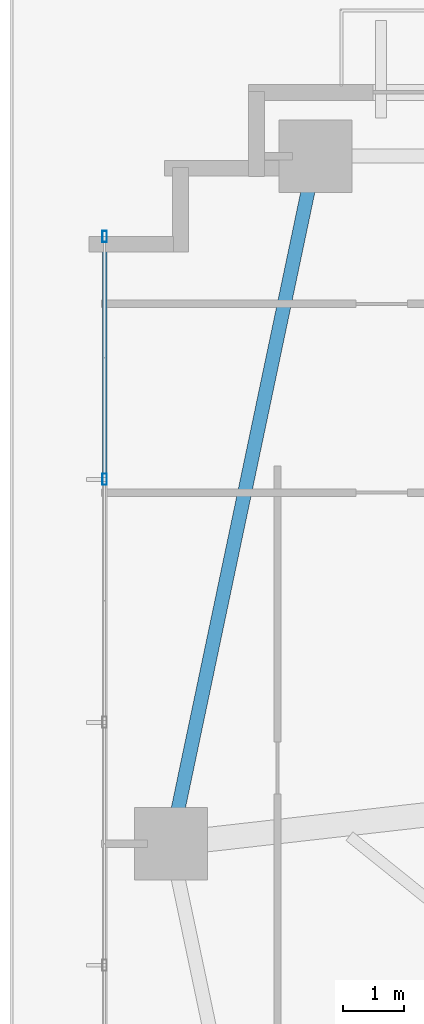
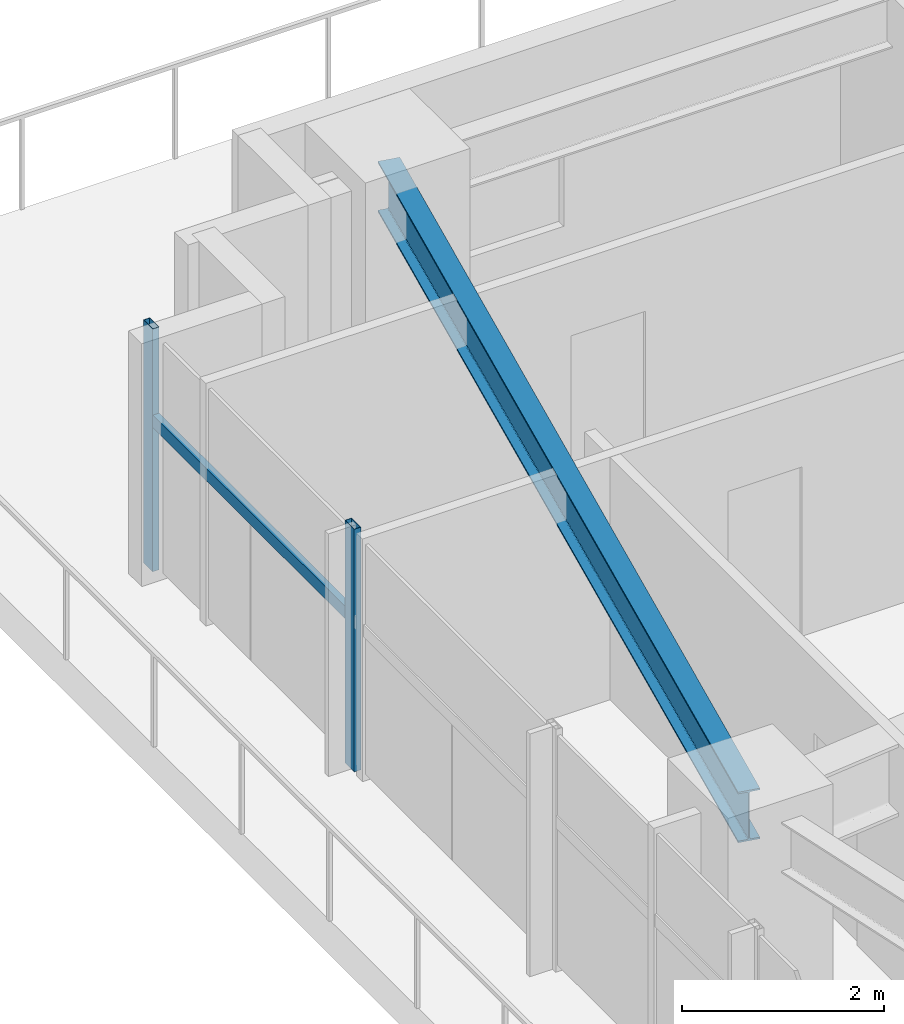
# One storey, part 8 of 26: 3 members, 1 beam, 1 element without a shape of its own.
"""IFC4 building model written with IfcOpenShell, lengths in metres."""

from ifc_helpers import new_model, si_unit, direction, frame, origin, origin_2d, place, context, subcontext, project, spatial, hollow_rectangle, i_section, extrude, source, transform, mapped, material, material_profile, profile_set, type_object, type_shapes, element, aggregate, save


model = new_model("IFC4")

# Units and contexts
model_context = context("Model", 3, precision=1e-05, world=origin(), true_north=direction((0.0, 1.0)))
body_context = subcontext(model_context, "Body", "Model", "MODEL_VIEW")
ifc_project = project(units=[si_unit("LENGTHUNIT", "METRE"), si_unit("AREAUNIT", "SQUARE_METRE"), si_unit("VOLUMEUNIT", "CUBIC_METRE"), si_unit("PLANEANGLEUNIT", "RADIAN"), si_unit("MASSUNIT", "GRAM", prefix="KILO")], contexts=[model_context])

# Site, building, storey
site_placement = place(None, origin())
site = spatial("IfcSite", under=ifc_project, at=site_placement, CompositionType="ELEMENT")
building_placement = place(site_placement, origin())
building = spatial("IfcBuilding", under=site, at=building_placement, Name="Astriad Promenade Condominiums", CompositionType="ELEMENT")
storey_placement = place(building_placement, frame((0.0, 0.0, 23.0)))
storey = spatial("IfcBuildingStorey", under=building, at=storey_placement, Name="L05", CompositionType="ELEMENT", Elevation=23.0)

# Beam
ifc_material_1 = material(Name="Steel ASTM A992 Grade 50", Category="steel")
ifc_material_profile_1 = material_profile(ifc_material_1, i_section(OverallWidth=0.22900390625, OverallDepth=0.612060546875, WebThickness=0.011962890625, FlangeThickness=0.01953125, FilletRadius=0.017822265625, at=origin_2d()), Name="W24X84")
ifc_profile_set_1 = profile_set([ifc_material_profile_1], Name="Steel ASTM A992 Grade 50")
beam_type = type_object("IfcBeamType", Name="STEEL SPANDREL BEAM W24X84", PredefinedType="SPANDREL", material=ifc_profile_set_1)
shared_shape_1 = source(origin(), body_context, "Body", "SweptSolid", [
    extrude(i_section(OverallWidth=0.22900390625, OverallDepth=0.612060546875, WebThickness=0.011962890625, FlangeThickness=0.01953125, FilletRadius=0.017822265625, at=origin_2d()), origin(), (0.0, 0.0, 1.0), 11.48779296875),
])
type_shapes(beam_type, [shared_shape_1])
beam_placement = place(storey_placement, frame((9.391845703125, 26.48095703125, 2.634033203125), z_axis=(-0.205743776427, -0.978605895374, 0.0), x_axis=(0.978605895374, -0.205743776427, 0.0)))
element("IfcBeam", 1, at=beam_placement, inside=storey, type_object=beam_type, Name="Perimeter Spandrel Beam SP-W2-L05", PredefinedType="SPANDREL", context=body_context, shape_type="MappedRepresentation", body=[
    mapped(shared_shape_1, transform((0.0, 0.0, 0.0), scale=1.0)),
])

# Curtain wall, members
ifc_material_2 = material(Name="Anodised aluminium Black Dark Glass Unitised", Category="aluminium")
curtain_wall_type = type_object("IfcCurtainWallType", Name="CW-B1-DARK", PredefinedType="USERDEFINED", material=ifc_material_2)
curtain_wall_placement = place(storey_placement, origin())
curtain_wall = element("IfcCurtainWall", 2, at=curtain_wall_placement, inside=storey, type_object=curtain_wall_type, Name="CW-L05-W", ObjectType="UNITISED_CURTAIN_WALL", PredefinedType="USERDEFINED")
ifc_material_3 = material(Name="Anodised aluminium 6063-T6 Black", Category="aluminium")
ifc_material_profile_2 = material_profile(ifc_material_3, hollow_rectangle(XDim=0.074951171875, YDim=0.18505859375, WallThickness=0.00439453125, at=origin_2d()), Name="ALU-MUL-75X185")
ifc_profile_set_2 = profile_set([ifc_material_profile_2], Name="Anodised aluminium 6063-T6 Black")
member_type_1 = type_object("IfcMemberType", Name="MUL-ALU-MUL-75X185", PredefinedType="MULLION", material=ifc_profile_set_2)
shared_shape_2 = source(origin(), body_context, "Body", "SweptSolid", [
    extrude(hollow_rectangle(XDim=0.074951171875, YDim=0.18505859375, WallThickness=0.00439453125, at=origin_2d()), origin(), (0.0, 0.0, 1.0), 2.93994140625),
])
type_shapes(member_type_1, [shared_shape_2])
member_1_placement = place(storey_placement, frame((5.929931640625, 21.199951171875, 0.0), z_axis=(0.0, 0.0, 1.0), x_axis=(1.0, 0.0, 0.0)))
member_1 = element("IfcMember", 3, at=member_1_placement, type_object=member_type_1, Name="CW-L05-W-MUL-04", PredefinedType="MULLION", context=body_context, shape_type="MappedRepresentation", body=[
    mapped(shared_shape_2, transform((0.0, 0.0, 0.0), scale=1.0)),
])
member_2_placement = place(storey_placement, frame((5.929931640625, 25.199951171875, 0.0), z_axis=(0.0, 0.0, 1.0), x_axis=(1.0, 0.0, 0.0)))
member_2 = element("IfcMember", 4, at=member_2_placement, type_object=member_type_1, Name="CW-L05-W-MUL-05", PredefinedType="MULLION", context=body_context, shape_type="MappedRepresentation", body=[
    mapped(shared_shape_2, transform((0.0, 0.0, 0.0), scale=1.0)),
])
ifc_material_profile_3 = material_profile(ifc_material_3, hollow_rectangle(XDim=0.074951171875, YDim=0.14990234375, WallThickness=0.004150390625, at=origin_2d()), Name="ALU-TRN-75X150")
ifc_profile_set_3 = profile_set([ifc_material_profile_3], Name="Anodised aluminium 6063-T6 Black")
member_type_2 = type_object("IfcMemberType", Name="TRN-ALU-TRN-75X150", PredefinedType="USERDEFINED", material=ifc_profile_set_3)
shared_shape_3 = source(origin(), body_context, "Body", "SweptSolid", [
    extrude(hollow_rectangle(XDim=0.074951171875, YDim=0.14990234375, WallThickness=0.004150390625, at=origin_2d()), origin(), (0.0, 0.0, 1.0), 4.0),
])
type_shapes(member_type_2, [shared_shape_3])
member_3_placement = place(storey_placement, frame((5.929931640625, 21.199951171875, 1.82275390625), z_axis=(0.0, 1.0, 0.0), x_axis=(-1.0, 0.0, 0.0)))
member_3 = element("IfcMember", 5, at=member_3_placement, type_object=member_type_2, Name="CW-L05-W-TRN-04-0", ObjectType="TRANSOM", PredefinedType="USERDEFINED", context=body_context, shape_type="MappedRepresentation", body=[
    mapped(shared_shape_3, transform((0.0, 0.0, 0.0), scale=1.0)),
])
aggregate(curtain_wall, [member_1, member_2, member_3])

save(model, "model.ifc")
